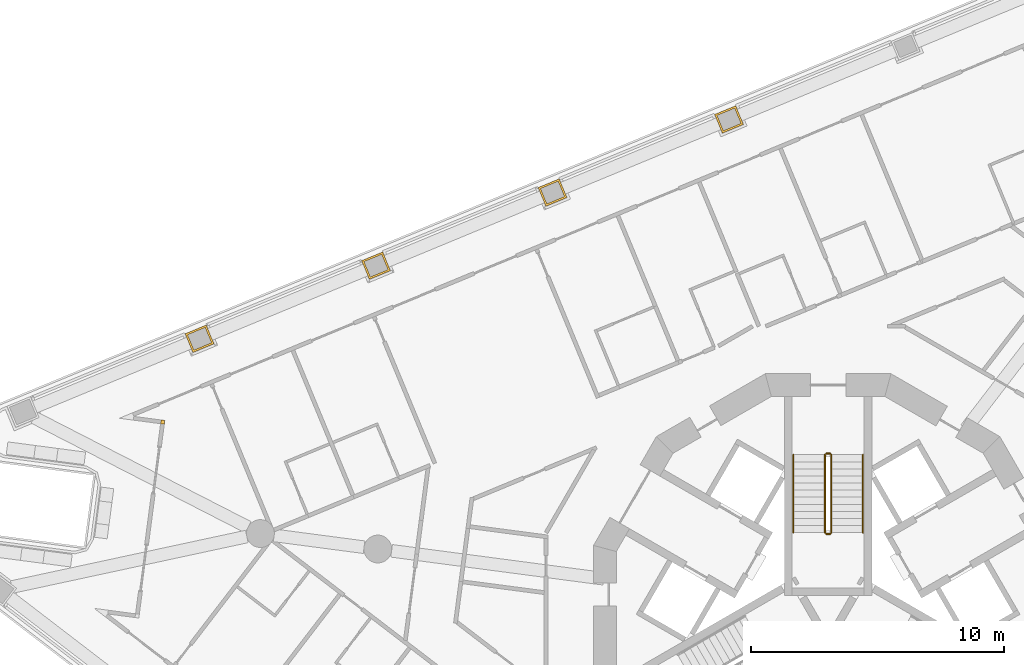
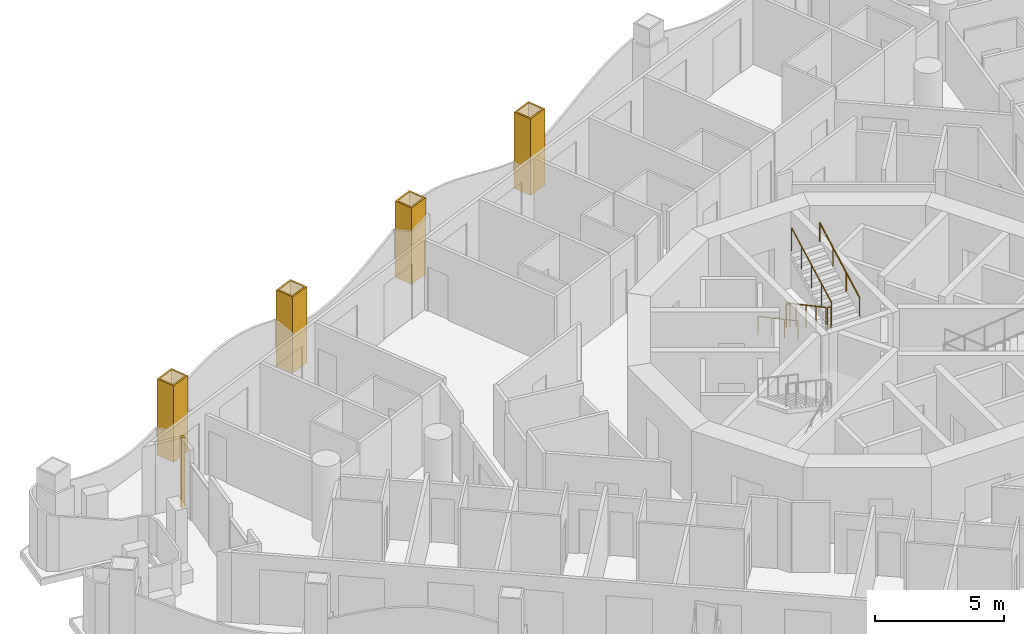
# One storey, part 15 of 17: 6 railings, 5 coverings.
"""IFC4 building model written with IfcOpenShell, lengths in metres."""

from ifc_helpers import new_model, si_unit, direction, frame, origin, origin_2d, place, context, subcontext, project, spatial, polyline, circle, outline, extrude, material, layer, layer_set, type_object, element, save


model = new_model("IFC4")

# Units and contexts
model_context = context("Model", 3, precision=1e-05, world=origin(), true_north=direction((0.0, 1.0)))
body_context = subcontext(model_context, "Body", "Model", "MODEL_VIEW")
ifc_project = project(units=[si_unit("LENGTHUNIT", "METRE"), si_unit("AREAUNIT", "SQUARE_METRE"), si_unit("VOLUMEUNIT", "CUBIC_METRE"), si_unit("PLANEANGLEUNIT", "RADIAN"), si_unit("MASSUNIT", "GRAM", prefix="KILO")], contexts=[model_context])

# Site, building, storey
site_placement = place(None, origin())
site = spatial("IfcSite", under=ifc_project, at=site_placement, CompositionType="ELEMENT")
building_placement = place(site_placement, origin())
building = spatial("IfcBuilding", under=site, at=building_placement, Name="Trine Commons Tower", CompositionType="ELEMENT")
storey_placement = place(building_placement, frame((0.0, 0.0, 135.0)))
storey = spatial("IfcBuildingStorey", under=building, at=storey_placement, Name="L34", CompositionType="ELEMENT", Elevation=135.0)

# Coverings
ifc_material_1 = material(Name="Aluminium-framed insulated wall panel", Category="aluminium")
ifc_layer_1 = layer(ifc_material_1, 0.14990234375)
ifc_layer_set_1 = layer_set([ifc_layer_1], Name="Aluminium-framed insulated wall panel")
covering_type_1 = type_object("IfcCoveringType", Name="Glazing corner post, aluminium", PredefinedType="CLADDING", material=ifc_layer_set_1)
covering_1_placement = place(storey_placement, origin())
element("IfcCovering", 1, at=covering_1_placement, inside=storey, type_object=covering_type_1, Name="Glazing corner post 4-03", PredefinedType="CLADDING", context=body_context, shape_type="SweptSolid", body=[
    extrude(outline(polyline([(53.610107421875, 69.797119140625), (53.7587890625, 69.77734375), (53.778564453125, 69.926025390625), (53.6298828125, 69.94580078125), (53.610107421875, 69.797119140625)])), origin(), (0.0, 0.0, 1.0), 3.300048828125),
])
ifc_material_2 = material(Name="Limestone, honed", Category="masonry")
ifc_layer_2 = layer(ifc_material_2, 0.074951171875)
ifc_layer_set_2 = layer_set([ifc_layer_2], Name="Limestone, honed")
covering_type_2 = type_object("IfcCoveringType", Name="Limestone column cladding 75", PredefinedType="CLADDING", material=ifc_layer_set_2)
covering_2_placement = place(storey_placement, origin())
element("IfcCovering", 2, at=covering_2_placement, inside=storey, type_object=covering_type_2, Name="Limestone pier cladding 4-10", PredefinedType="CLADDING", context=body_context, shape_type="SweptSolid", body=[
    extrude(outline(polyline([(55.719970703125, 72.957763671875), (55.413818359375, 73.69677734375), (54.582275390625, 73.352294921875), (54.888427734375, 72.61328125), (55.719970703125, 72.957763671875)]), holes=[polyline([(55.621826171875, 72.998291015625), (55.373291015625, 73.598876953125), (54.680419921875, 73.311767578125), (54.928955078125, 72.711181640625), (55.621826171875, 72.998291015625)])]), origin(), (0.0, 0.0, 1.0), 3.60009765625),
])
covering_3_placement = place(storey_placement, origin())
element("IfcCovering", 3, at=covering_3_placement, inside=storey, type_object=covering_type_2, Name="Limestone pier cladding 4-11", PredefinedType="CLADDING", context=body_context, shape_type="SweptSolid", body=[
    extrude(outline(polyline([(62.697021484375, 75.84765625), (62.390869140625, 76.5869140625), (61.559326171875, 76.2421875), (61.865478515625, 75.503173828125), (62.697021484375, 75.84765625)]), holes=[polyline([(62.59912109375, 75.88818359375), (62.350341796875, 76.48876953125), (61.657470703125, 76.201904296875), (61.906005859375, 75.601318359375), (62.59912109375, 75.88818359375)])]), origin(), (0.0, 0.0, 1.0), 3.60009765625),
])
covering_4_placement = place(storey_placement, origin())
element("IfcCovering", 4, at=covering_4_placement, inside=storey, type_object=covering_type_2, Name="Limestone pier cladding 4-12", PredefinedType="CLADDING", context=body_context, shape_type="SweptSolid", body=[
    extrude(outline(polyline([(69.674072265625, 78.73779296875), (69.367919921875, 79.476806640625), (68.53662109375, 79.13232421875), (68.842529296875, 78.393310546875), (69.674072265625, 78.73779296875)]), holes=[polyline([(69.576171875, 78.7783203125), (69.327392578125, 79.37890625), (68.634521484375, 79.091796875), (68.88330078125, 78.4912109375), (69.576171875, 78.7783203125)])]), origin(), (0.0, 0.0, 1.0), 3.60009765625),
])
covering_5_placement = place(storey_placement, origin())
element("IfcCovering", 5, at=covering_5_placement, inside=storey, type_object=covering_type_2, Name="Limestone pier cladding 4-13", PredefinedType="CLADDING", context=body_context, shape_type="SweptSolid", body=[
    extrude(outline(polyline([(76.651123046875, 81.627685546875), (76.34521484375, 82.366943359375), (75.513671875, 82.0224609375), (75.819580078125, 81.283203125), (76.651123046875, 81.627685546875)]), holes=[polyline([(76.55322265625, 81.668212890625), (76.304443359375, 82.268798828125), (75.611572265625, 81.98193359375), (75.8603515625, 81.38134765625), (76.55322265625, 81.668212890625)])]), origin(), (0.0, 0.0, 1.0), 3.60009765625),
])

# Railings
ifc_material_3 = material(Name="Stainless steel balustrade", Category="steel")
railing_type_1 = type_object("IfcRailingType", Name="Stair guard, steel balustrade 1100", PredefinedType="GUARDRAIL", material=ifc_material_3)
railing_1_placement = place(storey_placement, frame((79.875, 68.570556640625, 0.14990234375)))
element("IfcRailing", 6, at=railing_1_placement, inside=storey, type_object=railing_type_1, Name="L34 ST1B stair guard 1", PredefinedType="GUARDRAIL", context=body_context, shape_type="SweptSolid", body=[
    extrude(circle(Radius=0.02392578125, at=origin_2d()), frame((0.0, 0.0, 1.076171875), z_axis=(0.0, -0.881467505477, 0.472244678941), x_axis=(1.0, 0.0, 0.0)), (0.0, 0.0, 1.0), 3.494140625),
    extrude(circle(Radius=0.02099609375, at=origin_2d()), origin(), (0.0, 0.0, 1.0), 1.052001953125),
    extrude(circle(Radius=0.02099609375, at=origin_2d()), frame((0.0, -0.77001953125, 0.41259765625)), (0.0, 0.0, 1.0), 1.052001953125),
    extrude(circle(Radius=0.02099609375, at=origin_2d()), frame((0.0, -1.5400390625, 0.8251953125)), (0.0, 0.0, 1.0), 1.052001953125),
    extrude(circle(Radius=0.02099609375, at=origin_2d()), frame((0.0, -2.31005859375, 1.237548828125)), (0.0, 0.0, 1.0), 1.052001953125),
    extrude(circle(Radius=0.02099609375, at=origin_2d()), frame((0.0, -3.080078125, 1.650146484375)), (0.0, 0.0, 1.0), 1.052001953125),
])
railing_2_placement = place(storey_placement, frame((79.925048828125, 65.440673828125, 1.800048828125)))
element("IfcRailing", 7, at=railing_2_placement, inside=storey, type_object=railing_type_1, Name="L34 ST1B stair guard 2", PredefinedType="GUARDRAIL", context=body_context, shape_type="SweptSolid", body=[
    extrude(circle(Radius=0.02392578125, at=origin_2d()), frame((0.0, 0.0, 1.076171875), z_axis=(1.0, 0.0, 0.0), x_axis=(0.0, 1.0, 0.0)), (0.0, 0.0, 1.0), 0.14990234375),
    extrude(circle(Radius=0.02099609375, at=origin_2d()), origin(), (0.0, 0.0, 1.0), 1.052001953125),
    extrude(circle(Radius=0.02099609375, at=origin_2d()), frame((0.14990234375, 0.0, 0.0)), (0.0, 0.0, 1.0), 1.052001953125),
])
railing_3_placement = place(storey_placement, frame((80.125, 65.490478515625, 1.949951171875)))
element("IfcRailing", 8, at=railing_3_placement, inside=storey, type_object=railing_type_1, Name="L34 ST1B stair guard 3", PredefinedType="GUARDRAIL", context=body_context, shape_type="SweptSolid", body=[
    extrude(circle(Radius=0.02392578125, at=origin_2d()), frame((0.0, 0.0, 1.076171875), z_axis=(0.0, 0.881467505477, 0.472244678941), x_axis=(-1.0, 0.0, 0.0)), (0.0, 0.0, 1.0), 3.494140625),
    extrude(circle(Radius=0.02099609375, at=origin_2d()), origin(), (0.0, 0.0, 1.0), 1.052001953125),
    extrude(circle(Radius=0.02099609375, at=origin_2d()), frame((0.0, 0.77001953125, 0.41259765625)), (0.0, 0.0, 1.0), 1.052001953125),
    extrude(circle(Radius=0.02099609375, at=origin_2d()), frame((0.0, 1.5400390625, 0.8251953125)), (0.0, 0.0, 1.0), 1.052001953125),
    extrude(circle(Radius=0.02099609375, at=origin_2d()), frame((0.0, 2.31005859375, 1.237548828125)), (0.0, 0.0, 1.0), 1.052001953125),
    extrude(circle(Radius=0.02099609375, at=origin_2d()), frame((0.0, 3.080078125, 1.650146484375)), (0.0, 0.0, 1.0), 1.052001953125),
])
railing_4_placement = place(storey_placement, frame((79.925048828125, 68.62060546875, 0.0)))
element("IfcRailing", 9, at=railing_4_placement, inside=storey, type_object=railing_type_1, Name="L34 ST1B stair guard 4", PredefinedType="GUARDRAIL", context=body_context, shape_type="SweptSolid", body=[
    extrude(circle(Radius=0.02392578125, at=origin_2d()), frame((0.0, 0.0, 1.076171875), z_axis=(1.0, 0.0, 0.0), x_axis=(0.0, 1.0, 0.0)), (0.0, 0.0, 1.0), 0.14990234375),
    extrude(circle(Radius=0.02099609375, at=origin_2d()), origin(), (0.0, 0.0, 1.0), 1.052001953125),
    extrude(circle(Radius=0.02099609375, at=origin_2d()), frame((0.14990234375, 0.0, 0.0)), (0.0, 0.0, 1.0), 1.052001953125),
])
ifc_material_4 = material(Name="Stainless steel handrail", Category="steel")
railing_type_2 = type_object("IfcRailingType", Name="Stair handrail, steel 900", PredefinedType="HANDRAIL", material=ifc_material_4)
railing_5_placement = place(storey_placement, frame((78.625, 68.570556640625, 0.14990234375)))
element("IfcRailing", 10, at=railing_5_placement, inside=storey, type_object=railing_type_2, Name="L34 ST1B stair handrail 1", PredefinedType="HANDRAIL", context=body_context, shape_type="SweptSolid", body=[
    extrude(circle(Radius=0.02099609375, at=origin_2d()), frame((0.0, 0.0, 0.87890625), z_axis=(0.0, -0.881467505477, 0.472244678941), x_axis=(1.0, 0.0, 0.0)), (0.0, 0.0, 1.0), 3.494140625),
    extrude(circle(Radius=0.01513671875, at=origin_2d()), origin(), (0.0, 0.0, 1.0), 0.85791015625),
    extrude(circle(Radius=0.01513671875, at=origin_2d()), frame((0.0, -1.026611328125, 0.550048828125)), (0.0, 0.0, 1.0), 0.85791015625),
    extrude(circle(Radius=0.01513671875, at=origin_2d()), frame((0.0, -2.053466796875, 1.10009765625)), (0.0, 0.0, 1.0), 0.85791015625),
    extrude(circle(Radius=0.01513671875, at=origin_2d()), frame((0.0, -3.080078125, 1.650146484375)), (0.0, 0.0, 1.0), 0.85791015625),
])
railing_6_placement = place(storey_placement, frame((81.375, 65.490478515625, 1.949951171875)))
element("IfcRailing", 11, at=railing_6_placement, inside=storey, type_object=railing_type_2, Name="L34 ST1B stair handrail 2", PredefinedType="HANDRAIL", context=body_context, shape_type="SweptSolid", body=[
    extrude(circle(Radius=0.02099609375, at=origin_2d()), frame((0.0, 0.0, 0.87890625), z_axis=(0.0, 0.881467505477, 0.472244678941), x_axis=(-1.0, 0.0, 0.0)), (0.0, 0.0, 1.0), 3.494140625),
    extrude(circle(Radius=0.01513671875, at=origin_2d()), origin(), (0.0, 0.0, 1.0), 0.85791015625),
    extrude(circle(Radius=0.01513671875, at=origin_2d()), frame((0.0, 1.026611328125, 0.550048828125)), (0.0, 0.0, 1.0), 0.85791015625),
    extrude(circle(Radius=0.01513671875, at=origin_2d()), frame((0.0, 2.053466796875, 1.10009765625)), (0.0, 0.0, 1.0), 0.85791015625),
    extrude(circle(Radius=0.01513671875, at=origin_2d()), frame((0.0, 3.080078125, 1.650146484375)), (0.0, 0.0, 1.0), 0.85791015625),
])

save(model, "model.ifc")
